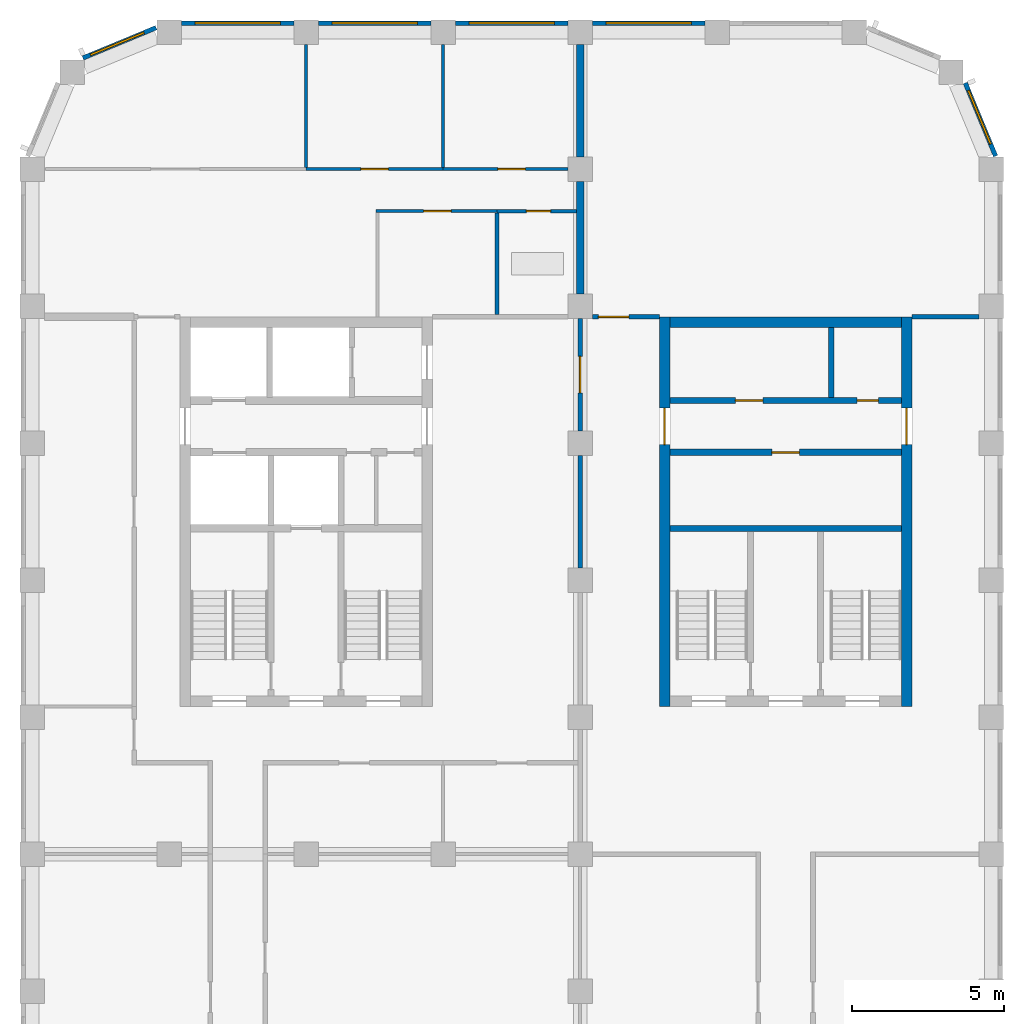
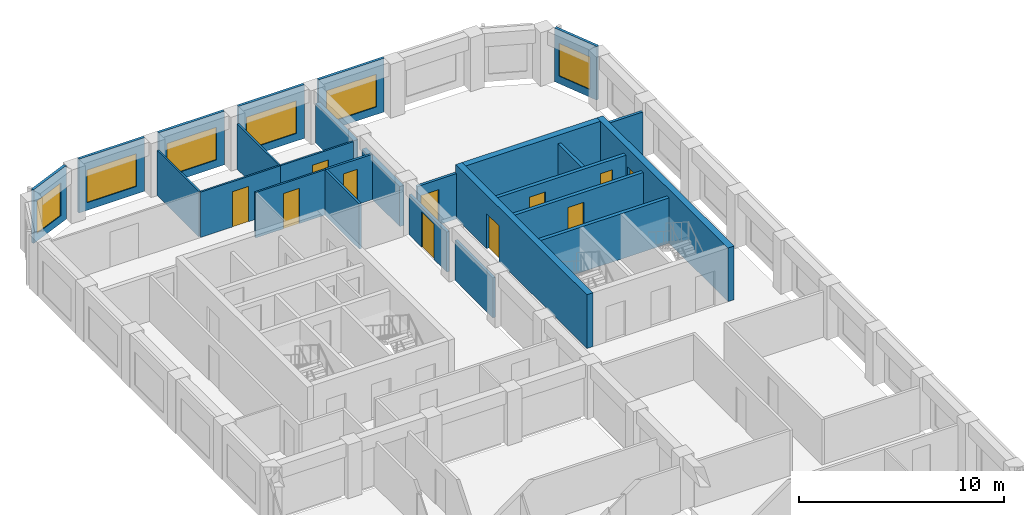
# One storey, part 6 of 9: 26 walls, 11 doors, 6 windows, 17 openings.
"""IFC4 building model written with IfcOpenShell, lengths in metres."""

from ifc_helpers import new_model, si_unit, direction, frame, frame_2d, origin, place, context, subcontext, project, spatial, rectangle, extrude, material, layer, layer_set, type_object, element, fill, save


model = new_model("IFC4")

# Units and contexts
model_context = context("Model", 3, precision=1e-05, world=origin(), true_north=direction((0.0, 1.0)))
body_context = subcontext(model_context, "Body", "Model", "MODEL_VIEW")
ifc_project = project(units=[si_unit("LENGTHUNIT", "METRE"), si_unit("AREAUNIT", "SQUARE_METRE"), si_unit("VOLUMEUNIT", "CUBIC_METRE"), si_unit("PLANEANGLEUNIT", "RADIAN"), si_unit("MASSUNIT", "GRAM", prefix="KILO")], contexts=[model_context])

# Site, building, storey
site_placement = place(None, origin())
site = spatial("IfcSite", under=ifc_project, at=site_placement, CompositionType="ELEMENT")
building_placement = place(site_placement, origin())
building = spatial("IfcBuilding", under=site, at=building_placement, Name="Girih Gate Residences", CompositionType="ELEMENT")
storey_placement = place(building_placement, frame((0.0, 0.0, 198.699951171875)))
storey = spatial("IfcBuildingStorey", under=building, at=storey_placement, Name="L55", CompositionType="ELEMENT", Elevation=198.699951171875)

# Walls
ifc_material_1 = material(Name="Gypsum board on steel studs", Category="steel")
ifc_layer_1 = layer(ifc_material_1, 0.25)
ifc_layer_set_1 = layer_set([ifc_layer_1], Name="Acoustic separating wall 250 mm")
wall_type_1 = type_object("IfcWallType", Name="Acoustic separating wall 250 mm", PredefinedType="PARTITIONING", material=ifc_layer_set_1)
for number, where, z_axis, x_axis, name in (
    (1, (18.0, 40.89990234375, 0.0), (0.0, 0.0, 1.0), (0.0, 1.0, 0.0), "L55 partition"),
    (2, (18.0, 45.39990234375, 0.0), (0.0, 0.0, 1.0), (0.0, 1.0, 0.0), "L55 partition"),
):
    element("IfcWall", number, at=place(storey_placement, frame(where, z_axis=z_axis, x_axis=x_axis)), inside=storey, type_object=wall_type_1, Name=name, PredefinedType="PARTITIONING", context=body_context, shape_type="SweptSolid", body=[
        extrude(rectangle(XDim=3.7001953125, YDim=0.25, at=frame_2d((1.85009765625, 0.0))), origin(), (0.0, 0.0, 1.0), 2.380126953125),
    ])

# Wall, opening, door
ifc_layer_2 = layer(ifc_material_1, 0.14990234375)
ifc_layer_set_2 = layer_set([ifc_layer_2], Name="Compartment wall 150 mm")
wall_type_2 = type_object("IfcWallType", Name="Compartment wall 150 mm", PredefinedType="PARTITIONING", material=ifc_layer_set_2)
wall_1_placement = place(storey_placement, frame((18.39990234375, 40.14990234375, 0.0), z_axis=(0.0, 0.0, 1.0), x_axis=(1.0, 0.0, 0.0)))
wall_1 = element("IfcWall", 3, at=wall_1_placement, inside=storey, type_object=wall_type_2, Name="L55 partition", PredefinedType="PARTITIONING", context=body_context, shape_type="SweptSolid", body=[
    extrude(rectangle(XDim=2.2001953125, YDim=0.14990234375, at=frame_2d((1.10009765625, 0.0))), origin(), (0.0, 0.0, 1.0), 2.699951171875),
])
opening_1_placement = place(wall_1_placement, frame((0.199951171875, 0.0, 0.0)))
opening_1 = element("IfcOpeningElement", 4, at=opening_1_placement, cuts=wall_1, Name="Opening A55-018", PredefinedType="OPENING", context=body_context, shape_type="SweptSolid", body=[
    extrude(rectangle(XDim=1.0, YDim=2.10009765625, at=frame_2d((0.5, 1.050048828125))), frame((0.0, 0.0849609375, 0.0), z_axis=(0.0, -1.0, 0.0), x_axis=(1.0, 0.0, 0.0)), (0.0, 0.0, 1.0), 0.169921875),
])
ifc_material_2 = material(Name="Timber, fire-rated core", Category="wood")
door_type_1 = type_object("IfcDoorType", Name="Amenity room door 1000x2100 FD30S", OperationType="NOTDEFINED", PredefinedType="DOOR", material=ifc_material_2)
door_1_placement = place(opening_1_placement, origin())
door_1 = element("IfcDoor", 5, at=door_1_placement, inside=storey, type_object=door_type_1, Name="Door A55-018", OperationType="SINGLE_SWING_LEFT", OverallHeight=2.10009765625, OverallWidth=1.0, PredefinedType="DOOR", context=body_context, shape_type="SweptSolid", body=[
    extrude(rectangle(XDim=1.0, YDim=2.10009765625, at=frame_2d((0.5, 1.050048828125))), frame((0.0, 0.02490234375, 0.0), z_axis=(0.0, -1.0, 0.0), x_axis=(1.0, 0.0, 0.0)), (0.0, 0.0, 1.0), 0.050048828125),
])
fill(opening_1, door_1)

# Walls
wall_2_placement = place(storey_placement, frame((28.89990234375, 40.14990234375, 0.0), z_axis=(0.0, 0.0, 1.0), x_axis=(1.0, 0.0, 0.0)))
element("IfcWall", 6, at=wall_2_placement, inside=storey, type_object=wall_type_2, Name="L55 partition", PredefinedType="PARTITIONING", context=body_context, shape_type="SweptSolid", body=[
    extrude(rectangle(XDim=2.2001953125, YDim=0.14990234375, at=frame_2d((1.10009765625, 0.0))), origin(), (0.0, 0.0, 1.0), 2.699951171875),
])
wall_3_placement = place(storey_placement, frame((18.0, 31.89990234375, 0.0), z_axis=(0.0, 0.0, 1.0), x_axis=(0.0, 1.0, 0.0)))
element("IfcWall", 7, at=wall_3_placement, inside=storey, type_object=wall_type_2, Name="L55 partition", PredefinedType="PARTITIONING", context=body_context, shape_type="SweptSolid", body=[
    extrude(rectangle(XDim=3.7001953125, YDim=0.14990234375, at=frame_2d((1.85009765625, 0.0))), origin(), (0.0, 0.0, 1.0), 2.380126953125),
])

# Wall, opening, door
wall_4_placement = place(storey_placement, frame((18.0, 40.10009765625, 0.0), z_axis=(0.0, 0.0, 1.0), x_axis=(0.0, -1.0, 0.0)))
wall_4 = element("IfcWall", 8, at=wall_4_placement, inside=storey, type_object=wall_type_2, Name="L55 partition", PredefinedType="PARTITIONING", context=body_context, shape_type="SweptSolid", body=[
    extrude(rectangle(XDim=3.7001953125, YDim=0.14990234375, at=frame_2d((1.85009765625, 0.0))), origin(), (0.0, 0.0, 1.0), 2.380126953125),
])
opening_2_placement = place(wall_4_placement, frame((1.25, 0.0, 0.0)))
opening_2 = element("IfcOpeningElement", 9, at=opening_2_placement, cuts=wall_4, Name="Opening A55-019", PredefinedType="OPENING", context=body_context, shape_type="SweptSolid", body=[
    extrude(rectangle(XDim=1.199951171875, YDim=2.10009765625, at=frame_2d((0.60009765625, 1.050048828125))), frame((0.0, 0.0849609375, 0.0), z_axis=(0.0, -1.0, 0.0), x_axis=(1.0, 0.0, 0.0)), (0.0, 0.0, 1.0), 0.169921875),
])
door_type_2 = type_object("IfcDoorType", Name="Corridor fire door 1200x2100 FD30S", OperationType="NOTDEFINED", PredefinedType="DOOR", material=ifc_material_2)
door_2_placement = place(opening_2_placement, origin())
door_2 = element("IfcDoor", 10, at=door_2_placement, inside=storey, type_object=door_type_2, Name="Door A55-019", OperationType="SINGLE_SWING_LEFT", OverallHeight=2.10009765625, OverallWidth=1.199951171875, PredefinedType="DOOR", context=body_context, shape_type="SweptSolid", body=[
    extrude(rectangle(XDim=1.199951171875, YDim=2.10009765625, at=frame_2d((0.60009765625, 1.050048828125))), frame((0.0, 0.02490234375, 0.0), z_axis=(0.0, -1.0, 0.0), x_axis=(1.0, 0.0, 0.0)), (0.0, 0.0, 1.0), 0.050048828125),
])
fill(opening_2, door_2)

# Wall
ifc_layer_3 = layer(ifc_material_1, 0.10009765625)
ifc_layer_set_3 = layer_set([ifc_layer_3], Name="Partition 100 mm")
wall_type_3 = type_object("IfcWallType", Name="Partition 100 mm", PredefinedType="PARTITIONING", material=ifc_layer_set_3)
wall_5_placement = place(storey_placement, frame((13.5, 45.050048828125, 0.0), z_axis=(0.0, 0.0, 1.0), x_axis=(0.0, 1.0, 0.0)))
element("IfcWall", 11, at=wall_5_placement, inside=storey, type_object=wall_type_3, Name="L55 partition", PredefinedType="PARTITIONING", context=body_context, shape_type="SweptSolid", body=[
    extrude(rectangle(XDim=4.050048828125, YDim=0.10009765625, at=frame_2d((2.02490234375, 0.0))), origin(), (0.0, 0.0, 1.0), 2.699951171875),
])

# Wall, opening, door
wall_6_placement = place(storey_placement, frame((9.0, 45.0, 0.0), z_axis=(0.0, 0.0, 1.0), x_axis=(1.0, 0.0, 0.0)))
wall_6 = element("IfcWall", 12, at=wall_6_placement, inside=storey, type_object=wall_type_3, Name="L55 partition", PredefinedType="PARTITIONING", context=body_context, shape_type="SweptSolid", body=[
    extrude(rectangle(XDim=4.5, YDim=0.10009765625, at=frame_2d((2.25, 0.0))), origin(), (0.0, 0.0, 1.0), 2.699951171875),
])
opening_3_placement = place(wall_6_placement, frame((1.800048828125, 0.0, 0.0)))
opening_3 = element("IfcOpeningElement", 13, at=opening_3_placement, cuts=wall_6, Name="Opening A55-012", PredefinedType="OPENING", context=body_context, shape_type="SweptSolid", body=[
    extrude(rectangle(XDim=0.89990234375, YDim=2.10009765625, at=frame_2d((0.449951171875, 1.050048828125))), frame((0.0, 0.06005859375, 0.0), z_axis=(0.0, -1.0, 0.0), x_axis=(1.0, 0.0, 0.0)), (0.0, 0.0, 1.0), 0.1201171875),
])
ifc_material_3 = material(Name="Timber", Category="wood")
door_type_3 = type_object("IfcDoorType", Name="Bedroom door 900x2100", OperationType="NOTDEFINED", PredefinedType="DOOR", material=ifc_material_3)
door_3_placement = place(opening_3_placement, origin())
door_3 = element("IfcDoor", 14, at=door_3_placement, inside=storey, type_object=door_type_3, Name="Door A55-012", OperationType="SINGLE_SWING_LEFT", OverallHeight=2.10009765625, OverallWidth=0.89990234375, PredefinedType="DOOR", context=body_context, shape_type="SweptSolid", body=[
    extrude(rectangle(XDim=0.89990234375, YDim=2.10009765625, at=frame_2d((0.449951171875, 1.050048828125))), frame((0.0, 0.02490234375, 0.0), z_axis=(0.0, -1.0, 0.0), x_axis=(1.0, 0.0, 0.0)), (0.0, 0.0, 1.0), 0.050048828125),
])
fill(opening_3, door_3)

# Wall
wall_7_placement = place(storey_placement, frame((9.0, 45.050048828125, 0.0), z_axis=(0.0, 0.0, 1.0), x_axis=(0.0, 1.0, 0.0)))
element("IfcWall", 15, at=wall_7_placement, inside=storey, type_object=wall_type_3, Name="L55 partition", PredefinedType="PARTITIONING", context=body_context, shape_type="SweptSolid", body=[
    extrude(rectangle(XDim=4.050048828125, YDim=0.10009765625, at=frame_2d((2.02490234375, 0.0))), origin(), (0.0, 0.0, 1.0), 2.699951171875),
])

# Wall, opening, door
wall_8_placement = place(storey_placement, frame((13.5, 45.0, 0.0), z_axis=(0.0, 0.0, 1.0), x_axis=(1.0, 0.0, 0.0)))
wall_8 = element("IfcWall", 16, at=wall_8_placement, inside=storey, type_object=wall_type_3, Name="L55 partition", PredefinedType="PARTITIONING", context=body_context, shape_type="SweptSolid", body=[
    extrude(rectangle(XDim=4.10009765625, YDim=0.10009765625, at=frame_2d((2.050048828125, 0.0))), origin(), (0.0, 0.0, 1.0), 2.699951171875),
])
opening_4_placement = place(wall_8_placement, frame((1.800048828125, 0.0, 0.0)))
opening_4 = element("IfcOpeningElement", 17, at=opening_4_placement, cuts=wall_8, Name="Opening A55-013", PredefinedType="OPENING", context=body_context, shape_type="SweptSolid", body=[
    extrude(rectangle(XDim=0.89990234375, YDim=2.10009765625, at=frame_2d((0.449951171875, 1.050048828125))), frame((0.0, 0.06005859375, 0.0), z_axis=(0.0, -1.0, 0.0), x_axis=(1.0, 0.0, 0.0)), (0.0, 0.0, 1.0), 0.1201171875),
])
door_4_placement = place(opening_4_placement, origin())
door_4 = element("IfcDoor", 18, at=door_4_placement, inside=storey, type_object=door_type_3, Name="Door A55-013", OperationType="SINGLE_SWING_RIGHT", OverallHeight=2.10009765625, OverallWidth=0.89990234375, PredefinedType="DOOR", context=body_context, shape_type="SweptSolid", body=[
    extrude(rectangle(XDim=0.89990234375, YDim=2.10009765625, at=frame_2d((0.449951171875, 1.050048828125))), frame((0.0, 0.02490234375, 0.0), z_axis=(0.0, -1.0, 0.0), x_axis=(1.0, 0.0, 0.0)), (0.0, 0.0, 1.0), 0.050048828125),
])
fill(opening_4, door_4)

wall_9_placement = place(storey_placement, frame((15.266845703125, 43.6201171875, 0.0), z_axis=(0.0, 0.0, 1.0), x_axis=(-1.0, 0.0, 0.0)))
wall_9 = element("IfcWall", 19, at=wall_9_placement, inside=storey, type_object=wall_type_3, Name="L55 partition", PredefinedType="PARTITIONING", context=body_context, shape_type="SweptSolid", body=[
    extrude(rectangle(XDim=3.966796875, YDim=0.10009765625, at=frame_2d((1.9833984375, 0.0))), origin(), (0.0, 0.0, 1.0), 2.699951171875),
])
opening_5_placement = place(wall_9_placement, frame((1.50830078125, 0.0, 0.0)))
opening_5 = element("IfcOpeningElement", 20, at=opening_5_placement, cuts=wall_9, Name="Opening A55-014", PredefinedType="OPENING", context=body_context, shape_type="SweptSolid", body=[
    extrude(rectangle(XDim=0.89990234375, YDim=2.10009765625, at=frame_2d((0.449951171875, 1.050048828125))), frame((0.0, 0.06005859375, 0.0), z_axis=(0.0, -1.0, 0.0), x_axis=(1.0, 0.0, 0.0)), (0.0, 0.0, 1.0), 0.1201171875),
])
door_type_4 = type_object("IfcDoorType", Name="Kitchen door 900x2100", OperationType="NOTDEFINED", PredefinedType="DOOR", material=ifc_material_3)
door_5_placement = place(opening_5_placement, origin())
door_5 = element("IfcDoor", 21, at=door_5_placement, inside=storey, type_object=door_type_4, Name="Door A55-014", OperationType="SINGLE_SWING_LEFT", OverallHeight=2.10009765625, OverallWidth=0.89990234375, PredefinedType="DOOR", context=body_context, shape_type="SweptSolid", body=[
    extrude(rectangle(XDim=0.89990234375, YDim=2.10009765625, at=frame_2d((0.449951171875, 1.050048828125))), frame((0.0, 0.02490234375, 0.0), z_axis=(0.0, -1.0, 0.0), x_axis=(1.0, 0.0, 0.0)), (0.0, 0.0, 1.0), 0.050048828125),
])
fill(opening_5, door_5)

# Wall, opening, window
ifc_material_4 = material(Name="Precast concrete C50/60", Category="concrete")
ifc_layer_4 = layer(ifc_material_4, 0.050048828125, Name="Outer leaf")
ifc_material_5 = material(Name="Rigid PIR insulation")
ifc_layer_5 = layer(ifc_material_5, 0.06005859375, Name="Insulation")
ifc_material_6 = material(Name="Precast concrete C40/50", Category="concrete")
ifc_layer_6 = layer(ifc_material_6, 0.0400390625, Name="Inner leaf")
ifc_layer_set_4 = layer_set([ifc_layer_4, ifc_layer_5, ifc_layer_6], Name="Precast concrete C50/60 external wall 150")
wall_type_4 = type_object("IfcWallType", Name="Precast concrete C50/60 external wall 150", PredefinedType="SOLIDWALL", material=ifc_layer_set_4)
wall_10_placement = place(storey_placement, frame((30.6513671875, 47.8330078125, 0.0), z_axis=(0.0, 0.0, 1.0), x_axis=(0.382669406082, -0.923885342263, 0.0)))
wall_10 = element("IfcWall", 22, at=wall_10_placement, inside=storey, type_object=wall_type_4, Name="External wall NE0315_0450.0", PredefinedType="SOLIDWALL", context=body_context, shape_type="SweptSolid", body=[
    extrude(rectangle(XDim=2.602294921875, YDim=0.14990234375, at=frame_2d((1.30126953125, 0.0))), origin(), (0.0, 0.0, 1.0), 3.199951171875),
])
opening_6_placement = place(wall_10_placement, frame((0.27001953125, 0.0, 0.449951171875)))
opening_6 = element("IfcOpeningElement", 23, at=opening_6_placement, cuts=wall_10, Name="Opening W-2G", PredefinedType="OPENING", context=body_context, shape_type="SweptSolid", body=[
    extrude(rectangle(XDim=1.89990234375, YDim=1.949951171875, at=frame_2d((0.949951171875, 0.97509765625))), frame((0.0, 0.0849609375, 0.0), z_axis=(0.0, -1.0, 0.0), x_axis=(1.0, 0.0, 0.0)), (0.0, 0.0, 1.0), 0.169921875),
])
ifc_material_7 = material(Name="Double glazing in aluminium frame", Category="aluminium")
window_type_1 = type_object("IfcWindowType", Name="Window W-2G 1900x1950", PartitioningType="SINGLE_PANEL", PredefinedType="WINDOW", material=ifc_material_7)
window_1_placement = place(opening_6_placement, origin())
window_1 = element("IfcWindow", 24, at=window_1_placement, inside=storey, type_object=window_type_1, Name="Window W-2G NE0315_0450.0", OverallHeight=1.949951171875, OverallWidth=1.89990234375, PartitioningType="SINGLE_PANEL", PredefinedType="WINDOW", context=body_context, shape_type="SweptSolid", body=[
    extrude(rectangle(XDim=1.89990234375, YDim=1.949951171875, at=frame_2d((0.949951171875, 0.97509765625))), frame((0.0, 0.030029296875, 0.0), z_axis=(0.0, -1.0, 0.0), x_axis=(1.0, 0.0, 0.0)), (0.0, 0.0, 1.0), 0.06005859375),
])
fill(opening_6, window_1)

wall_11_placement = place(storey_placement, frame((18.39990234375, 49.800048828125, 0.0), z_axis=(0.0, 0.0, 1.0), x_axis=(1.0, 0.0, 0.0)))
wall_11 = element("IfcWall", 25, at=wall_11_placement, inside=storey, type_object=wall_type_4, Name="External wall N0270_0495.1", PredefinedType="SOLIDWALL", context=body_context, shape_type="SweptSolid", body=[
    extrude(rectangle(XDim=3.7001953125, YDim=0.14990234375, at=frame_2d((1.85009765625, 0.0))), origin(), (0.0, 0.0, 1.0), 3.199951171875),
])
opening_7_placement = place(wall_11_placement, frame((0.449951171875, 0.0, 0.449951171875)))
opening_7 = element("IfcOpeningElement", 26, at=opening_7_placement, cuts=wall_11, Name="Opening W-1B", PredefinedType="OPENING", context=body_context, shape_type="SweptSolid", body=[
    extrude(rectangle(XDim=2.800048828125, YDim=1.949951171875, at=frame_2d((1.39990234375, 0.97509765625))), frame((0.0, 0.0849609375, 0.0), z_axis=(0.0, -1.0, 0.0), x_axis=(1.0, 0.0, 0.0)), (0.0, 0.0, 1.0), 0.169921875),
])
window_type_2 = type_object("IfcWindowType", Name="Window W-1B 2800x1950", PartitioningType="SINGLE_PANEL", PredefinedType="WINDOW", material=ifc_material_7)
window_2_placement = place(opening_7_placement, origin())
window_2 = element("IfcWindow", 27, at=window_2_placement, inside=storey, type_object=window_type_2, Name="Window W-1B N0270_0495.1", OverallHeight=1.949951171875, OverallWidth=2.800048828125, PartitioningType="SINGLE_PANEL", PredefinedType="WINDOW", context=body_context, shape_type="SweptSolid", body=[
    extrude(rectangle(XDim=2.800048828125, YDim=1.949951171875, at=frame_2d((1.39990234375, 0.97509765625))), frame((0.0, 0.030029296875, 0.0), z_axis=(0.0, -1.0, 0.0), x_axis=(1.0, 0.0, 0.0)), (0.0, 0.0, 1.0), 0.06005859375),
])
fill(opening_7, window_2)

wall_12_placement = place(storey_placement, frame((13.89990234375, 49.800048828125, 0.0), z_axis=(0.0, 0.0, 1.0), x_axis=(1.0, 0.0, 0.0)))
wall_12 = element("IfcWall", 28, at=wall_12_placement, inside=storey, type_object=wall_type_4, Name="External wall N0270_0495.2", PredefinedType="SOLIDWALL", context=body_context, shape_type="SweptSolid", body=[
    extrude(rectangle(XDim=3.7001953125, YDim=0.14990234375, at=frame_2d((1.85009765625, 0.0))), origin(), (0.0, 0.0, 1.0), 3.199951171875),
])
opening_8_placement = place(wall_12_placement, frame((0.449951171875, 0.0, 0.449951171875)))
opening_8 = element("IfcOpeningElement", 29, at=opening_8_placement, cuts=wall_12, Name="Opening W-1B", PredefinedType="OPENING", context=body_context, shape_type="SweptSolid", body=[
    extrude(rectangle(XDim=2.800048828125, YDim=1.949951171875, at=frame_2d((1.39990234375, 0.97509765625))), frame((0.0, 0.0849609375, 0.0), z_axis=(0.0, -1.0, 0.0), x_axis=(1.0, 0.0, 0.0)), (0.0, 0.0, 1.0), 0.169921875),
])
window_3_placement = place(opening_8_placement, origin())
window_3 = element("IfcWindow", 30, at=window_3_placement, inside=storey, type_object=window_type_2, Name="Window W-1B N0270_0495.2", OverallHeight=1.949951171875, OverallWidth=2.800048828125, PartitioningType="SINGLE_PANEL", PredefinedType="WINDOW", context=body_context, shape_type="SweptSolid", body=[
    extrude(rectangle(XDim=2.800048828125, YDim=1.949951171875, at=frame_2d((1.39990234375, 0.97509765625))), frame((0.0, 0.030029296875, 0.0), z_axis=(0.0, -1.0, 0.0), x_axis=(1.0, 0.0, 0.0)), (0.0, 0.0, 1.0), 0.06005859375),
])
fill(opening_8, window_3)

wall_13_placement = place(storey_placement, frame((9.39990234375, 49.800048828125, 0.0), z_axis=(0.0, 0.0, 1.0), x_axis=(1.0, 0.0, 0.0)))
wall_13 = element("IfcWall", 31, at=wall_13_placement, inside=storey, type_object=wall_type_4, Name="External wall N0270_0495.3", PredefinedType="SOLIDWALL", context=body_context, shape_type="SweptSolid", body=[
    extrude(rectangle(XDim=3.7001953125, YDim=0.14990234375, at=frame_2d((1.85009765625, 0.0))), origin(), (0.0, 0.0, 1.0), 3.199951171875),
])
opening_9_placement = place(wall_13_placement, frame((0.449951171875, 0.0, 0.449951171875)))
opening_9 = element("IfcOpeningElement", 32, at=opening_9_placement, cuts=wall_13, Name="Opening W-1B", PredefinedType="OPENING", context=body_context, shape_type="SweptSolid", body=[
    extrude(rectangle(XDim=2.800048828125, YDim=1.949951171875, at=frame_2d((1.39990234375, 0.97509765625))), frame((0.0, 0.0849609375, 0.0), z_axis=(0.0, -1.0, 0.0), x_axis=(1.0, 0.0, 0.0)), (0.0, 0.0, 1.0), 0.169921875),
])
window_4_placement = place(opening_9_placement, origin())
window_4 = element("IfcWindow", 33, at=window_4_placement, inside=storey, type_object=window_type_2, Name="Window W-1B N0270_0495.3", OverallHeight=1.949951171875, OverallWidth=2.800048828125, PartitioningType="SINGLE_PANEL", PredefinedType="WINDOW", context=body_context, shape_type="SweptSolid", body=[
    extrude(rectangle(XDim=2.800048828125, YDim=1.949951171875, at=frame_2d((1.39990234375, 0.97509765625))), frame((0.0, 0.030029296875, 0.0), z_axis=(0.0, -1.0, 0.0), x_axis=(1.0, 0.0, 0.0)), (0.0, 0.0, 1.0), 0.06005859375),
])
fill(opening_9, window_4)

wall_14_placement = place(storey_placement, frame((4.89990234375, 49.800048828125, 0.0), z_axis=(0.0, 0.0, 1.0), x_axis=(1.0, 0.0, 0.0)))
wall_14 = element("IfcWall", 34, at=wall_14_placement, inside=storey, type_object=wall_type_4, Name="External wall N0270_0495.4", PredefinedType="SOLIDWALL", context=body_context, shape_type="SweptSolid", body=[
    extrude(rectangle(XDim=3.7001953125, YDim=0.14990234375, at=frame_2d((1.85009765625, 0.0))), origin(), (0.0, 0.0, 1.0), 3.199951171875),
])
opening_10_placement = place(wall_14_placement, frame((0.449951171875, 0.0, 0.449951171875)))
opening_10 = element("IfcOpeningElement", 35, at=opening_10_placement, cuts=wall_14, Name="Opening W-1B", PredefinedType="OPENING", context=body_context, shape_type="SweptSolid", body=[
    extrude(rectangle(XDim=2.800048828125, YDim=1.949951171875, at=frame_2d((1.39990234375, 0.97509765625))), frame((0.0, 0.0849609375, 0.0), z_axis=(0.0, -1.0, 0.0), x_axis=(1.0, 0.0, 0.0)), (0.0, 0.0, 1.0), 0.169921875),
])
window_5_placement = place(opening_10_placement, origin())
window_5 = element("IfcWindow", 36, at=window_5_placement, inside=storey, type_object=window_type_2, Name="Window W-1B N0270_0495.4", OverallHeight=1.949951171875, OverallWidth=2.800048828125, PartitioningType="SINGLE_PANEL", PredefinedType="WINDOW", context=body_context, shape_type="SweptSolid", body=[
    extrude(rectangle(XDim=2.800048828125, YDim=1.949951171875, at=frame_2d((1.39990234375, 0.97509765625))), frame((0.0, 0.030029296875, 0.0), z_axis=(0.0, -1.0, 0.0), x_axis=(1.0, 0.0, 0.0)), (0.0, 0.0, 1.0), 0.06005859375),
])
fill(opening_10, window_5)

wall_15_placement = place(storey_placement, frame((1.6669921875, 48.6513671875, 0.0), z_axis=(0.0, 0.0, 1.0), x_axis=(0.923885342263, 0.382669406082, 0.0)))
wall_15 = element("IfcWall", 37, at=wall_15_placement, inside=storey, type_object=wall_type_4, Name="External wall NW0045_0495.0", PredefinedType="SOLIDWALL", context=body_context, shape_type="SweptSolid", body=[
    extrude(rectangle(XDim=2.602294921875, YDim=0.14990234375, at=frame_2d((1.30126953125, 0.0))), origin(), (0.0, 0.0, 1.0), 3.199951171875),
])
opening_11_placement = place(wall_15_placement, frame((0.27001953125, 0.0, 0.449951171875)))
opening_11 = element("IfcOpeningElement", 38, at=opening_11_placement, cuts=wall_15, Name="Opening W-2G", PredefinedType="OPENING", context=body_context, shape_type="SweptSolid", body=[
    extrude(rectangle(XDim=1.89990234375, YDim=1.949951171875, at=frame_2d((0.949951171875, 0.97509765625))), frame((0.0, 0.0849609375, 0.0), z_axis=(0.0, -1.0, 0.0), x_axis=(1.0, 0.0, 0.0)), (0.0, 0.0, 1.0), 0.169921875),
])
window_6_placement = place(opening_11_placement, origin())
window_6 = element("IfcWindow", 39, at=window_6_placement, inside=storey, type_object=window_type_1, Name="Window W-2G NW0045_0495.0", OverallHeight=1.949951171875, OverallWidth=1.89990234375, PartitioningType="SINGLE_PANEL", PredefinedType="WINDOW", context=body_context, shape_type="SweptSolid", body=[
    extrude(rectangle(XDim=1.89990234375, YDim=1.949951171875, at=frame_2d((0.949951171875, 0.97509765625))), frame((0.0, 0.030029296875, 0.0), z_axis=(0.0, -1.0, 0.0), x_axis=(1.0, 0.0, 0.0)), (0.0, 0.0, 1.0), 0.06005859375),
])
fill(opening_11, window_6)

# Walls
ifc_material_8 = material(Name="Concrete C40/50", Category="concrete")
ifc_layer_7 = layer(ifc_material_8, 0.175048828125)
ifc_layer_set_5 = layer_set([ifc_layer_7], Name="Riser shaft wall 175")
wall_type_5 = type_object("IfcWallType", Name="Riser shaft wall 175", PredefinedType="SOLIDWALL", material=ifc_layer_set_5)
wall_16_placement = place(storey_placement, frame((26.25, 37.5, 0.0), z_axis=(0.0, 0.0, 1.0), x_axis=(0.0, 1.0, 0.0)))
element("IfcWall", 40, at=wall_16_placement, inside=storey, type_object=wall_type_5, Name="L55 C core wall V2c", PredefinedType="SOLIDWALL", context=body_context, shape_type="SweptSolid", body=[
    extrude(rectangle(XDim=2.300048828125, YDim=0.175048828125, at=frame_2d((1.14990234375, 0.0))), origin(), (0.0, 0.0, 1.0), 2.699951171875),
])
ifc_layer_8 = layer(ifc_material_8, 0.199951171875)
ifc_layer_set_6 = layer_set([ifc_layer_8], Name="Shaft wall 200")
wall_type_6 = type_object("IfcWallType", Name="Shaft wall 200", PredefinedType="SOLIDWALL", material=ifc_layer_set_6)
wall_17_placement = place(storey_placement, frame((20.949951171875, 33.199951171875, 0.0), z_axis=(0.0, 0.0, 1.0), x_axis=(1.0, 0.0, 0.0)))
element("IfcWall", 41, at=wall_17_placement, inside=storey, type_object=wall_type_6, Name="L55 C core wall H1", PredefinedType="SOLIDWALL", context=body_context, shape_type="SweptSolid", body=[
    extrude(rectangle(XDim=7.60009765625, YDim=0.199951171875, at=frame_2d((3.800048828125, 0.0))), origin(), (0.0, 0.0, 1.0), 2.699951171875),
])

# Wall, opening, door
wall_18_placement = place(storey_placement, frame((20.949951171875, 35.699951171875, 0.0), z_axis=(0.0, 0.0, 1.0), x_axis=(1.0, 0.0, 0.0)))
wall_18 = element("IfcWall", 42, at=wall_18_placement, inside=storey, type_object=wall_type_6, Name="L55 C core wall H2", PredefinedType="SOLIDWALL", context=body_context, shape_type="SweptSolid", body=[
    extrude(rectangle(XDim=7.60009765625, YDim=0.199951171875, at=frame_2d((3.800048828125, 0.0))), origin(), (0.0, 0.0, 1.0), 2.699951171875),
])
opening_12_placement = place(wall_18_placement, frame((3.35009765625, 0.0, 0.0)))
opening_12 = element("IfcOpeningElement", 43, at=opening_12_placement, cuts=wall_18, Name="Opening D-L55-C-004", PredefinedType="OPENING", context=body_context, shape_type="SweptSolid", body=[
    extrude(rectangle(XDim=0.89990234375, YDim=2.10009765625, at=frame_2d((0.449951171875, 1.050048828125))), frame((0.0, 0.10986328125, 0.0), z_axis=(0.0, -1.0, 0.0), x_axis=(1.0, 0.0, 0.0)), (0.0, 0.0, 1.0), 0.219970703125),
])
ifc_material_9 = material(Name="Painted steel, fire-resisting", Category="steel")
door_type_5 = type_object("IfcDoorType", Name="Fire door 900x2100", OperationType="SINGLE_SWING_LEFT", PredefinedType="DOOR", material=ifc_material_9)
door_6_placement = place(opening_12_placement, origin())
door_6 = element("IfcDoor", 44, at=door_6_placement, inside=storey, type_object=door_type_5, Name="L55 C linen store door", OperationType="SINGLE_SWING_LEFT", OverallHeight=2.10009765625, OverallWidth=0.89990234375, PredefinedType="DOOR", context=body_context, shape_type="SweptSolid", body=[
    extrude(rectangle(XDim=0.89990234375, YDim=2.10009765625, at=frame_2d((0.449951171875, 1.050048828125))), frame((0.0, 0.02490234375, 0.0), z_axis=(0.0, -1.0, 0.0), x_axis=(1.0, 0.0, 0.0)), (0.0, 0.0, 1.0), 0.050048828125),
])
fill(opening_12, door_6)

# Wall, openings, doors
wall_19_placement = place(storey_placement, frame((20.949951171875, 37.39990234375, 0.0), z_axis=(0.0, 0.0, 1.0), x_axis=(1.0, 0.0, 0.0)))
wall_19 = element("IfcWall", 45, at=wall_19_placement, inside=storey, type_object=wall_type_6, Name="L55 C core wall H3", PredefinedType="SOLIDWALL", context=body_context, shape_type="SweptSolid", body=[
    extrude(rectangle(XDim=7.60009765625, YDim=0.199951171875, at=frame_2d((3.800048828125, 0.0))), origin(), (0.0, 0.0, 1.0), 2.699951171875),
])
opening_13_placement = place(wall_19_placement, frame((6.14990234375, 0.0, 0.0)))
opening_13 = element("IfcOpeningElement", 46, at=opening_13_placement, cuts=wall_19, Name="Opening D-L55-C-003", PredefinedType="OPENING", context=body_context, shape_type="SweptSolid", body=[
    extrude(rectangle(XDim=0.699951171875, YDim=2.10009765625, at=frame_2d((0.35009765625, 1.050048828125))), frame((0.0, 0.10986328125, 0.0), z_axis=(0.0, -1.0, 0.0), x_axis=(1.0, 0.0, 0.0)), (0.0, 0.0, 1.0), 0.219970703125),
])
opening_14_placement = place(wall_19_placement, frame((2.14990234375, 0.0, 0.0)))
opening_14 = element("IfcOpeningElement", 47, at=opening_14_placement, cuts=wall_19, Name="Opening D-L55-C-005", PredefinedType="OPENING", context=body_context, shape_type="SweptSolid", body=[
    extrude(rectangle(XDim=0.89990234375, YDim=2.10009765625, at=frame_2d((0.449951171875, 1.050048828125))), frame((0.0, 0.10986328125, 0.0), z_axis=(0.0, -1.0, 0.0), x_axis=(1.0, 0.0, 0.0)), (0.0, 0.0, 1.0), 0.219970703125),
])
door_7_placement = place(opening_14_placement, origin())
door_7 = element("IfcDoor", 48, at=door_7_placement, inside=storey, type_object=door_type_5, Name="L55 C housekeeping store door", OperationType="SINGLE_SWING_LEFT", OverallHeight=2.10009765625, OverallWidth=0.89990234375, PredefinedType="DOOR", context=body_context, shape_type="SweptSolid", body=[
    extrude(rectangle(XDim=0.89990234375, YDim=2.10009765625, at=frame_2d((0.449951171875, 1.050048828125))), frame((0.0, 0.02490234375, 0.0), z_axis=(0.0, -1.0, 0.0), x_axis=(1.0, 0.0, 0.0)), (0.0, 0.0, 1.0), 0.050048828125),
])
fill(opening_14, door_7)
door_type_6 = type_object("IfcDoorType", Name="Riser access door 700x2100", OperationType="SINGLE_SWING_LEFT", PredefinedType="DOOR", material=ifc_material_9)
door_8_placement = place(opening_13_placement, origin())
door_8 = element("IfcDoor", 49, at=door_8_placement, inside=storey, type_object=door_type_6, Name="L55 C riser room door", OperationType="SINGLE_SWING_LEFT", OverallHeight=2.10009765625, OverallWidth=0.699951171875, PredefinedType="DOOR", context=body_context, shape_type="SweptSolid", body=[
    extrude(rectangle(XDim=0.699951171875, YDim=2.10009765625, at=frame_2d((0.35009765625, 1.050048828125))), frame((0.0, 0.02490234375, 0.0), z_axis=(0.0, -1.0, 0.0), x_axis=(1.0, 0.0, 0.0)), (0.0, 0.0, 1.0), 0.050048828125),
])
fill(opening_13, door_8)

# Wall
ifc_layer_9 = layer(ifc_material_8, 0.35009765625)
ifc_layer_set_7 = layer_set([ifc_layer_9], Name="Stair core wall RC 350 Concrete C40/50")
wall_type_7 = type_object("IfcWallType", Name="Stair core wall RC 350 Concrete C40/50", PredefinedType="SOLIDWALL", material=ifc_layer_set_7)
wall_20_placement = place(storey_placement, frame((20.949951171875, 39.97509765625, 0.0), z_axis=(0.0, 0.0, 1.0), x_axis=(1.0, 0.0, 0.0)))
element("IfcWall", 50, at=wall_20_placement, inside=storey, type_object=wall_type_7, Name="Stair core wall C-N L55", PredefinedType="SOLIDWALL", context=body_context, shape_type="SweptSolid", body=[
    extrude(rectangle(XDim=7.60009765625, YDim=0.35009765625, at=frame_2d((3.800048828125, 0.0))), origin(), (0.0, 0.0, 1.0), 3.199951171875),
])

# Wall, opening, door
wall_21_placement = place(storey_placement, frame((20.77490234375, 27.35009765625, 0.0), z_axis=(0.0, 0.0, 1.0), x_axis=(0.0, 1.0, 0.0)))
wall_21 = element("IfcWall", 51, at=wall_21_placement, inside=storey, type_object=wall_type_7, Name="Stair core wall C-W L55", PredefinedType="SOLIDWALL", context=body_context, shape_type="SweptSolid", body=[
    extrude(rectangle(XDim=12.7998046875, YDim=0.35009765625, at=frame_2d((6.39990234375, 0.0))), origin(), (0.0, 0.0, 1.0), 3.199951171875),
])
opening_15_placement = place(wall_21_placement, frame((8.60009765625, 0.0, 0.0)))
opening_15 = element("IfcOpeningElement", 52, at=opening_15_placement, cuts=wall_21, Name="Opening D-L55-C-009", PredefinedType="OPENING", context=body_context, shape_type="SweptSolid", body=[
    extrude(rectangle(XDim=1.199951171875, YDim=2.10009765625, at=frame_2d((0.60009765625, 1.050048828125))), frame((0.0, 0.18505859375, 0.0), z_axis=(0.0, -1.0, 0.0), x_axis=(1.0, 0.0, 0.0)), (0.0, 0.0, 1.0), 0.3701171875),
])
door_type_7 = type_object("IfcDoorType", Name="Fire door 1200x2100", OperationType="SINGLE_SWING_LEFT", PredefinedType="DOOR", material=ifc_material_9)
door_9_placement = place(opening_15_placement, origin())
door_9 = element("IfcDoor", 53, at=door_9_placement, inside=storey, type_object=door_type_7, Name="L55 C core door ll-w", OperationType="SINGLE_SWING_LEFT", OverallHeight=2.10009765625, OverallWidth=1.199951171875, PredefinedType="DOOR", context=body_context, shape_type="SweptSolid", body=[
    extrude(rectangle(XDim=1.199951171875, YDim=2.10009765625, at=frame_2d((0.60009765625, 1.050048828125))), frame((0.0, 0.02490234375, 0.0), z_axis=(0.0, -1.0, 0.0), x_axis=(1.0, 0.0, 0.0)), (0.0, 0.0, 1.0), 0.050048828125),
])
fill(opening_15, door_9)

wall_22_placement = place(storey_placement, frame((28.72509765625, 27.35009765625, 0.0), z_axis=(0.0, 0.0, 1.0), x_axis=(0.0, 1.0, 0.0)))
wall_22 = element("IfcWall", 54, at=wall_22_placement, inside=storey, type_object=wall_type_7, Name="Stair core wall C-E L55", PredefinedType="SOLIDWALL", context=body_context, shape_type="SweptSolid", body=[
    extrude(rectangle(XDim=12.7998046875, YDim=0.35009765625, at=frame_2d((6.39990234375, 0.0))), origin(), (0.0, 0.0, 1.0), 3.199951171875),
])
opening_16_placement = place(wall_22_placement, frame((8.60009765625, 0.0, 0.0)))
opening_16 = element("IfcOpeningElement", 55, at=opening_16_placement, cuts=wall_22, Name="Opening D-L55-C-010", PredefinedType="OPENING", context=body_context, shape_type="SweptSolid", body=[
    extrude(rectangle(XDim=1.199951171875, YDim=2.10009765625, at=frame_2d((0.60009765625, 1.050048828125))), frame((0.0, 0.18505859375, 0.0), z_axis=(0.0, -1.0, 0.0), x_axis=(1.0, 0.0, 0.0)), (0.0, 0.0, 1.0), 0.3701171875),
])
door_10_placement = place(opening_16_placement, origin())
door_10 = element("IfcDoor", 56, at=door_10_placement, inside=storey, type_object=door_type_7, Name="L55 C core door ll-e", OperationType="SINGLE_SWING_LEFT", OverallHeight=2.10009765625, OverallWidth=1.199951171875, PredefinedType="DOOR", context=body_context, shape_type="SweptSolid", body=[
    extrude(rectangle(XDim=1.199951171875, YDim=2.10009765625, at=frame_2d((0.60009765625, 1.050048828125))), frame((0.0, 0.02490234375, 0.0), z_axis=(0.0, -1.0, 0.0), x_axis=(1.0, 0.0, 0.0)), (0.0, 0.0, 1.0), 0.050048828125),
])
fill(opening_16, door_10)

ifc_layer_10 = layer(ifc_material_1, 0.125)
ifc_layer_set_8 = layer_set([ifc_layer_10], Name="Wet room wall 125 mm")
wall_type_8 = type_object("IfcWallType", Name="Wet room wall 125 mm", PredefinedType="PARTITIONING", material=ifc_layer_set_8)
wall_23_placement = place(storey_placement, frame((17.875, 43.6201171875, 0.0), z_axis=(0.0, 0.0, 1.0), x_axis=(-1.0, 0.0, 0.0)))
wall_23 = element("IfcWall", 57, at=wall_23_placement, inside=storey, type_object=wall_type_8, Name="L55 partition", PredefinedType="PARTITIONING", context=body_context, shape_type="SweptSolid", body=[
    extrude(rectangle(XDim=2.608154296875, YDim=0.125, at=frame_2d((1.30419921875, 0.0))), origin(), (0.0, 0.0, 1.0), 2.699951171875),
])
opening_17_placement = place(wall_23_placement, frame((0.841552734375, 0.0, 0.0)))
opening_17 = element("IfcOpeningElement", 58, at=opening_17_placement, cuts=wall_23, Name="Opening A55-011", PredefinedType="OPENING", context=body_context, shape_type="SweptSolid", body=[
    extrude(rectangle(XDim=0.800048828125, YDim=2.10009765625, at=frame_2d((0.39990234375, 1.050048828125))), frame((0.0, 0.072509765625, 0.0), z_axis=(0.0, -1.0, 0.0), x_axis=(1.0, 0.0, 0.0)), (0.0, 0.0, 1.0), 0.14501953125),
])
door_type_8 = type_object("IfcDoorType", Name="Bathroom door 800x2100", OperationType="NOTDEFINED", PredefinedType="DOOR", material=ifc_material_3)
door_11_placement = place(opening_17_placement, origin())
door_11 = element("IfcDoor", 59, at=door_11_placement, inside=storey, type_object=door_type_8, Name="Door A55-011", OperationType="SINGLE_SWING_LEFT", OverallHeight=2.10009765625, OverallWidth=0.800048828125, PredefinedType="DOOR", context=body_context, shape_type="SweptSolid", body=[
    extrude(rectangle(XDim=0.800048828125, YDim=2.10009765625, at=frame_2d((0.39990234375, 1.050048828125))), frame((0.0, 0.02490234375, 0.0), z_axis=(0.0, -1.0, 0.0), x_axis=(1.0, 0.0, 0.0)), (0.0, 0.0, 1.0), 0.050048828125),
])
fill(opening_17, door_11)

# Wall
wall_24_placement = place(storey_placement, frame((15.26708984375, 40.22509765625, 0.0), z_axis=(0.0, 0.0, 1.0), x_axis=(0.0, 1.0, 0.0)))
element("IfcWall", 60, at=wall_24_placement, inside=storey, type_object=wall_type_8, Name="L55 partition", PredefinedType="PARTITIONING", context=body_context, shape_type="SweptSolid", body=[
    extrude(rectangle(XDim=3.33251953125, YDim=0.125, at=frame_2d((1.666259765625, 0.0))), origin(), (0.0, 0.0, 1.0), 2.699951171875),
])

save(model, "model.ifc")
